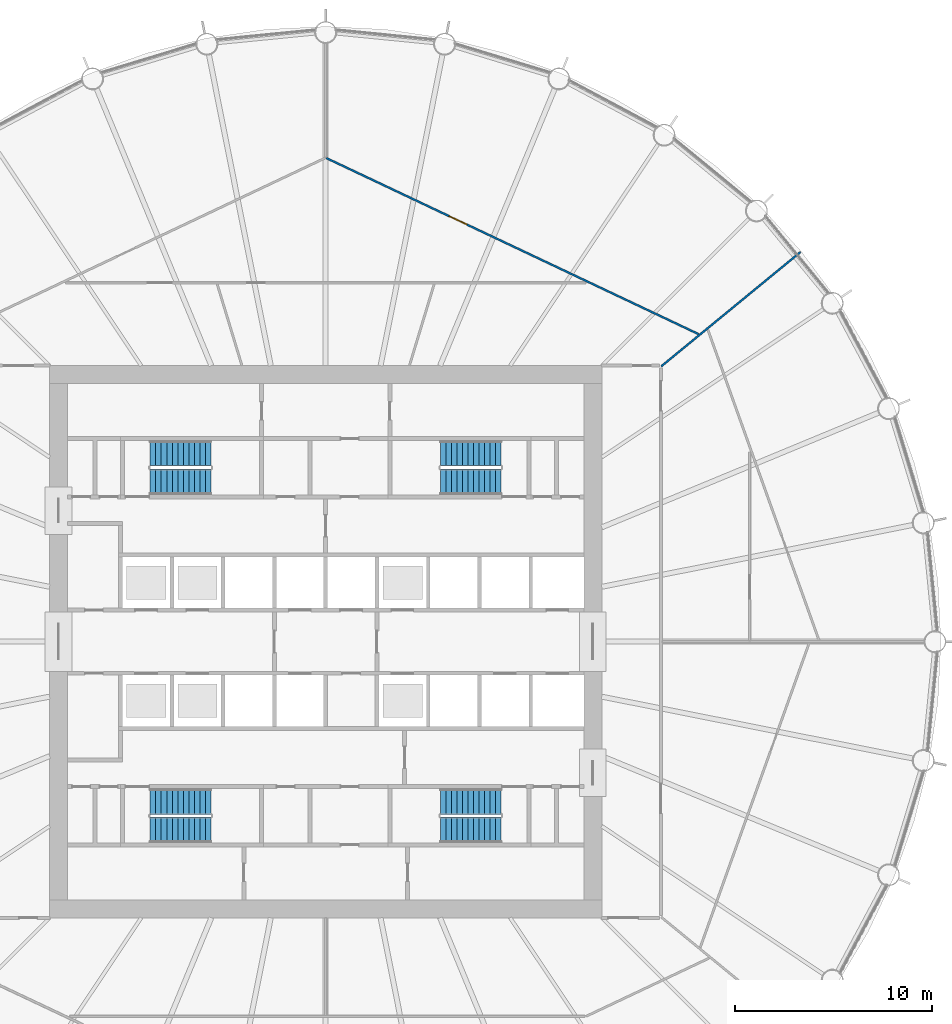
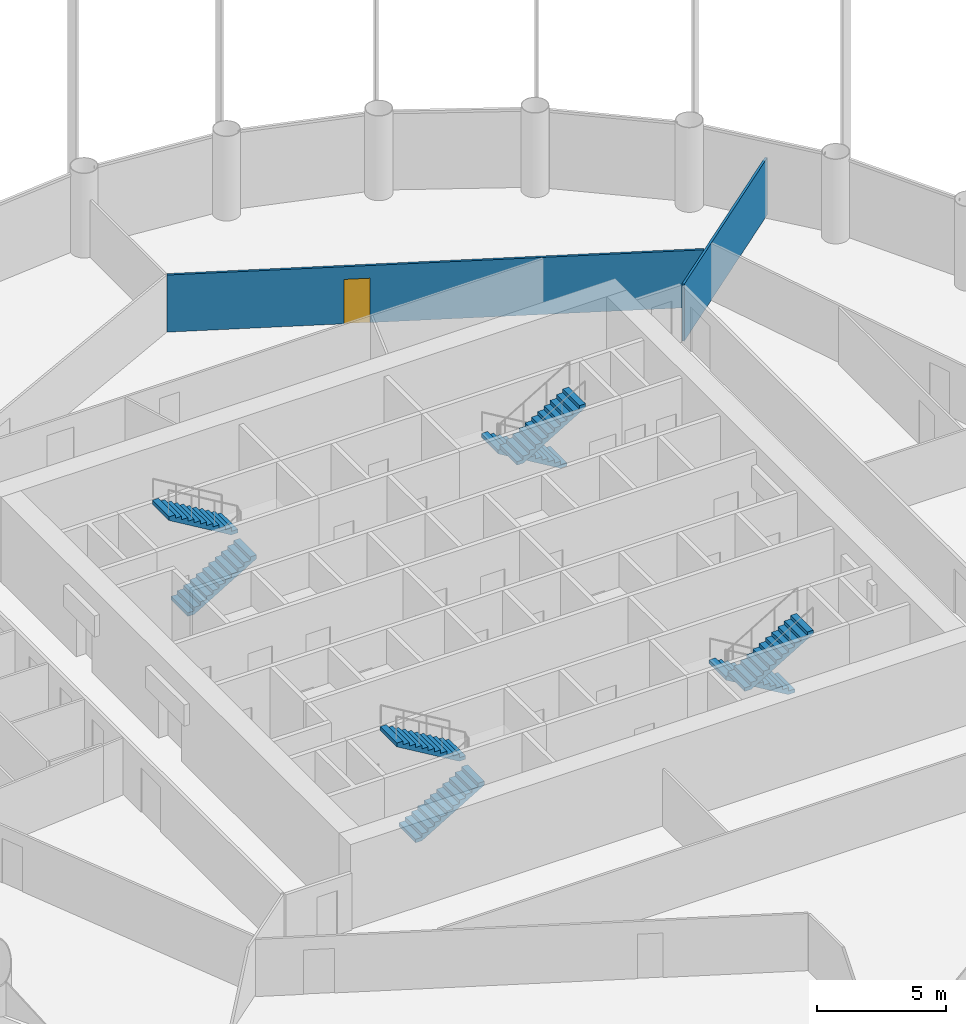
# One storey, part 8 of 10: 8 stair flights, 2 walls, 1 door, 1 opening, 4 elements without a shape of their own.
"""IFC4 building model written with IfcOpenShell, lengths in metres."""

from ifc_helpers import new_model, si_unit, direction, frame, frame_2d, origin, place, context, subcontext, project, spatial, polyline, rectangle, outline, extrude, material, layer, layer_set, type_object, element, fill, aggregate, save


model = new_model("IFC4")

# Units and contexts
model_context = context("Model", 3, precision=1e-05, world=origin(), true_north=direction((0.0, 1.0)))
body_context = subcontext(model_context, "Body", "Model", "MODEL_VIEW")
ifc_project = project(units=[si_unit("LENGTHUNIT", "METRE"), si_unit("AREAUNIT", "SQUARE_METRE"), si_unit("VOLUMEUNIT", "CUBIC_METRE"), si_unit("PLANEANGLEUNIT", "RADIAN"), si_unit("MASSUNIT", "GRAM", prefix="KILO")], contexts=[model_context])

# Site, building, storey
site_placement = place(None, origin())
site = spatial("IfcSite", under=ifc_project, at=site_placement, CompositionType="ELEMENT")
building_placement = place(site_placement, origin())
building = spatial("IfcBuilding", under=site, at=building_placement, Name="Corvane Civic Tower", CompositionType="ELEMENT")
storey_placement = place(building_placement, frame((0.0, 0.0, 144.0)))
storey = spatial("IfcBuildingStorey", under=building, at=storey_placement, Name="L33", CompositionType="ELEMENT", Elevation=144.0)

# Wall
ifc_material_1 = material(Name="Plasterboard")
ifc_layer = layer(ifc_material_1, 0.10009765625)
ifc_layer_set = layer_set([ifc_layer], Name="Plasterboard")
wall_type = type_object("IfcWallType", Name="Partition 100 plasterboard on studs", PredefinedType="PARTITIONING", material=ifc_layer_set)
wall_1_placement = place(storey_placement, frame((17.018310546875, 13.966552734375, 0.0), z_axis=(0.0, 0.0, 1.0), x_axis=(0.773006154143, 0.634398522742, 0.0)))
element("IfcWall", 1, at=wall_1_placement, inside=storey, type_object=wall_type, Name="Partition L33.027", PredefinedType="PARTITIONING", context=body_context, shape_type="SweptSolid", body=[
    extrude(rectangle(XDim=9.134521484375, YDim=0.10009765625, at=frame_2d((4.5673828125, 0.0))), origin(), (0.0, 0.0, 1.0), 2.699951171875),
])

# Wall, opening, door
wall_2_placement = place(storey_placement, frame((0.028564453125, 24.52880859375, 0.0), z_axis=(0.0, 0.0, 1.0), x_axis=(0.903988200513, -0.427557403554, 0.0)))
wall_2 = element("IfcWall", 2, at=wall_2_placement, inside=storey, type_object=wall_type, Name="Partition L33.033", PredefinedType="PARTITIONING", context=body_context, shape_type="SweptSolid", body=[
    extrude(rectangle(XDim=20.875732421875, YDim=0.10009765625, at=frame_2d((10.43798828125, 0.0))), origin(), (0.0, 0.0, 1.0), 2.699951171875),
])
opening_placement = place(wall_2_placement, frame((6.88525390625, 0.0, 0.0)))
opening = element("IfcOpeningElement", 3, at=opening_placement, cuts=wall_2, Name="Opening L33.002", PredefinedType="OPENING", context=body_context, shape_type="SweptSolid", body=[
    extrude(rectangle(XDim=1.0, YDim=2.10009765625, at=frame_2d((0.5, 1.050048828125))), frame((0.0, 0.06005859375, 0.0), z_axis=(0.0, -1.0, 0.0), x_axis=(1.0, 0.0, 0.0)), (0.0, 0.0, 1.0), 0.1201171875),
])
ifc_material_2 = material(Name="Timber", Category="wood")
door_type = type_object("IfcDoorType", Name="Single door 1000", OperationType="NOTDEFINED", PredefinedType="DOOR", material=ifc_material_2)
door_placement = place(opening_placement, origin())
door = element("IfcDoor", 4, at=door_placement, inside=storey, type_object=door_type, Name="Door L33.002", OperationType="SINGLE_SWING_LEFT", OverallHeight=2.10009765625, OverallWidth=1.0, PredefinedType="DOOR", context=body_context, shape_type="SweptSolid", body=[
    extrude(rectangle(XDim=1.0, YDim=2.10009765625, at=frame_2d((0.5, 1.050048828125))), frame((0.0, 0.02490234375, 0.0), z_axis=(0.0, -1.0, 0.0), x_axis=(1.0, 0.0, 0.0)), (0.0, 0.0, 1.0), 0.050048828125),
])
fill(opening, door)

# Stair, stair flights
ifc_material_3 = material(Name="Concrete C40/50", Category="concrete")
stair_type = type_object("IfcStairType", Name="ST-STAIR-HALFTURN", PredefinedType="HALF_TURN_STAIR", material=ifc_material_3)
stair_1_placement = place(storey_placement, origin())
stair_1 = element("IfcStair", 5, at=stair_1_placement, inside=storey, type_object=stair_type, Name="L33 Exit stair ST1", PredefinedType="HALF_TURN_STAIR")
ifc_material_4 = material(Name="Concrete C40/50", Category="concrete")
stair_flight_type = type_object("IfcStairFlightType", Name="ST-FLIGHT-RC", PredefinedType="STRAIGHT", material=ifc_material_4)
stair_flight_1_placement = place(storey_placement, frame((8.89990234375, 9.550048828125, 0.0), z_axis=(0.0, 0.0, 1.0), x_axis=(-1.0, 0.0, 0.0)))
stair_flight_1 = element("IfcStairFlight", 6, at=stair_flight_1_placement, type_object=stair_flight_type, Name="ST1 flight 1", NumberOfRisers=12, NumberOfTreads=11, PredefinedType="STRAIGHT", RiserHeight=0.166666667, TreadLength=0.28, context=body_context, shape_type="SweptSolid", body=[
    extrude(outline(polyline([(0.0, 0.0), (0.0, 0.166748046875), (0.280029296875, 0.166748046875), (0.280029296875, 0.333251953125), (0.56005859375, 0.333251953125), (0.56005859375, 0.5), (0.840087890625, 0.5), (0.840087890625, 0.666748046875), (1.1201171875, 0.666748046875), (1.1201171875, 0.833251953125), (1.39990234375, 0.833251953125), (1.39990234375, 1.0), (1.679931640625, 1.0), (1.679931640625, 1.166748046875), (1.9599609375, 1.166748046875), (1.9599609375, 1.333251953125), (2.239990234375, 1.333251953125), (2.239990234375, 1.5), (2.52001953125, 1.5), (2.52001953125, 1.666748046875), (2.800048828125, 1.666748046875), (2.800048828125, 1.833251953125), (3.080078125, 1.833251953125), (3.080078125, 2.0), (3.080078125, 1.658935546875), (0.29296875, 0.0), (0.0, 0.0)])), frame((0.0, 0.64990234375, 0.0), z_axis=(0.0, -1.0, 0.0), x_axis=(1.0, 0.0, 0.0)), (0.0, 0.0, 1.0), 1.300048828125),
])
stair_flight_2_placement = place(storey_placement, frame((5.820068359375, 8.10009765625, 2.0), z_axis=(0.0, 0.0, 1.0), x_axis=(1.0, 0.0, 0.0)))
stair_flight_2 = element("IfcStairFlight", 7, at=stair_flight_2_placement, type_object=stair_flight_type, Name="ST1 flight 2", NumberOfRisers=12, NumberOfTreads=11, PredefinedType="STRAIGHT", RiserHeight=0.166666667, TreadLength=0.28, context=body_context, shape_type="SweptSolid", body=[
    extrude(outline(polyline([(0.0, 0.0), (0.0, 0.166748046875), (0.280029296875, 0.166748046875), (0.280029296875, 0.333251953125), (0.56005859375, 0.333251953125), (0.56005859375, 0.5), (0.840087890625, 0.5), (0.840087890625, 0.666748046875), (1.1201171875, 0.666748046875), (1.1201171875, 0.833251953125), (1.39990234375, 0.833251953125), (1.39990234375, 1.0), (1.679931640625, 1.0), (1.679931640625, 1.166748046875), (1.9599609375, 1.166748046875), (1.9599609375, 1.333251953125), (2.239990234375, 1.333251953125), (2.239990234375, 1.5), (2.52001953125, 1.5), (2.52001953125, 1.666748046875), (2.800048828125, 1.666748046875), (2.800048828125, 1.833251953125), (3.080078125, 1.833251953125), (3.080078125, 2.0), (3.080078125, 1.658935546875), (0.29296875, 0.0), (0.0, 0.0)])), frame((0.0, 0.64990234375, 0.0), z_axis=(0.0, -1.0, 0.0), x_axis=(1.0, 0.0, 0.0)), (0.0, 0.0, 1.0), 1.300048828125),
])
aggregate(stair_1, [stair_flight_1, stair_flight_2])

stair_2_placement = place(storey_placement, origin())
stair_2 = element("IfcStair", 8, at=stair_2_placement, inside=storey, type_object=stair_type, Name="L33 Exit stair ST2", PredefinedType="HALF_TURN_STAIR")
stair_flight_3_placement = place(storey_placement, frame((8.89990234375, -8.10009765625, 0.0), z_axis=(0.0, 0.0, 1.0), x_axis=(-1.0, 0.0, 0.0)))
stair_flight_3 = element("IfcStairFlight", 9, at=stair_flight_3_placement, type_object=stair_flight_type, Name="ST2 flight 1", NumberOfRisers=12, NumberOfTreads=11, PredefinedType="STRAIGHT", RiserHeight=0.166666667, TreadLength=0.28, context=body_context, shape_type="SweptSolid", body=[
    extrude(outline(polyline([(0.0, 0.0), (0.0, 0.166748046875), (0.280029296875, 0.166748046875), (0.280029296875, 0.333251953125), (0.56005859375, 0.333251953125), (0.56005859375, 0.5), (0.840087890625, 0.5), (0.840087890625, 0.666748046875), (1.1201171875, 0.666748046875), (1.1201171875, 0.833251953125), (1.39990234375, 0.833251953125), (1.39990234375, 1.0), (1.679931640625, 1.0), (1.679931640625, 1.166748046875), (1.9599609375, 1.166748046875), (1.9599609375, 1.333251953125), (2.239990234375, 1.333251953125), (2.239990234375, 1.5), (2.52001953125, 1.5), (2.52001953125, 1.666748046875), (2.800048828125, 1.666748046875), (2.800048828125, 1.833251953125), (3.080078125, 1.833251953125), (3.080078125, 2.0), (3.080078125, 1.658935546875), (0.29296875, 0.0), (0.0, 0.0)])), frame((0.0, 0.64990234375, 0.0), z_axis=(0.0, -1.0, 0.0), x_axis=(1.0, 0.0, 0.0)), (0.0, 0.0, 1.0), 1.300048828125),
])
stair_flight_4_placement = place(storey_placement, frame((5.820068359375, -9.550048828125, 2.0), z_axis=(0.0, 0.0, 1.0), x_axis=(1.0, 0.0, 0.0)))
stair_flight_4 = element("IfcStairFlight", 10, at=stair_flight_4_placement, type_object=stair_flight_type, Name="ST2 flight 2", NumberOfRisers=12, NumberOfTreads=11, PredefinedType="STRAIGHT", RiserHeight=0.166666667, TreadLength=0.28, context=body_context, shape_type="SweptSolid", body=[
    extrude(outline(polyline([(0.0, 0.0), (0.0, 0.166748046875), (0.280029296875, 0.166748046875), (0.280029296875, 0.333251953125), (0.56005859375, 0.333251953125), (0.56005859375, 0.5), (0.840087890625, 0.5), (0.840087890625, 0.666748046875), (1.1201171875, 0.666748046875), (1.1201171875, 0.833251953125), (1.39990234375, 0.833251953125), (1.39990234375, 1.0), (1.679931640625, 1.0), (1.679931640625, 1.166748046875), (1.9599609375, 1.166748046875), (1.9599609375, 1.333251953125), (2.239990234375, 1.333251953125), (2.239990234375, 1.5), (2.52001953125, 1.5), (2.52001953125, 1.666748046875), (2.800048828125, 1.666748046875), (2.800048828125, 1.833251953125), (3.080078125, 1.833251953125), (3.080078125, 2.0), (3.080078125, 1.658935546875), (0.29296875, 0.0), (0.0, 0.0)])), frame((0.0, 0.64990234375, 0.0), z_axis=(0.0, -1.0, 0.0), x_axis=(1.0, 0.0, 0.0)), (0.0, 0.0, 1.0), 1.300048828125),
])
aggregate(stair_2, [stair_flight_3, stair_flight_4])

stair_3_placement = place(storey_placement, origin())
stair_3 = element("IfcStair", 11, at=stair_3_placement, inside=storey, type_object=stair_type, Name="L33 Exit stair ST3", PredefinedType="HALF_TURN_STAIR")
stair_flight_5_placement = place(storey_placement, frame((-8.89990234375, -9.550048828125, 0.0), z_axis=(0.0, 0.0, 1.0), x_axis=(1.0, 0.0, 0.0)))
stair_flight_5 = element("IfcStairFlight", 12, at=stair_flight_5_placement, type_object=stair_flight_type, Name="ST3 flight 1", NumberOfRisers=12, NumberOfTreads=11, PredefinedType="STRAIGHT", RiserHeight=0.166666667, TreadLength=0.28, context=body_context, shape_type="SweptSolid", body=[
    extrude(outline(polyline([(0.0, 0.0), (0.0, 0.166748046875), (0.280029296875, 0.166748046875), (0.280029296875, 0.333251953125), (0.56005859375, 0.333251953125), (0.56005859375, 0.5), (0.840087890625, 0.5), (0.840087890625, 0.666748046875), (1.1201171875, 0.666748046875), (1.1201171875, 0.833251953125), (1.39990234375, 0.833251953125), (1.39990234375, 1.0), (1.679931640625, 1.0), (1.679931640625, 1.166748046875), (1.9599609375, 1.166748046875), (1.9599609375, 1.333251953125), (2.239990234375, 1.333251953125), (2.239990234375, 1.5), (2.52001953125, 1.5), (2.52001953125, 1.666748046875), (2.800048828125, 1.666748046875), (2.800048828125, 1.833251953125), (3.080078125, 1.833251953125), (3.080078125, 2.0), (3.080078125, 1.658935546875), (0.29296875, 0.0), (0.0, 0.0)])), frame((0.0, 0.64990234375, 0.0), z_axis=(0.0, -1.0, 0.0), x_axis=(1.0, 0.0, 0.0)), (0.0, 0.0, 1.0), 1.300048828125),
])
stair_flight_6_placement = place(storey_placement, frame((-5.820068359375, -8.10009765625, 2.0), z_axis=(0.0, 0.0, 1.0), x_axis=(-1.0, 0.0, 0.0)))
stair_flight_6 = element("IfcStairFlight", 13, at=stair_flight_6_placement, type_object=stair_flight_type, Name="ST3 flight 2", NumberOfRisers=12, NumberOfTreads=11, PredefinedType="STRAIGHT", RiserHeight=0.166666667, TreadLength=0.28, context=body_context, shape_type="SweptSolid", body=[
    extrude(outline(polyline([(0.0, 0.0), (0.0, 0.166748046875), (0.280029296875, 0.166748046875), (0.280029296875, 0.333251953125), (0.56005859375, 0.333251953125), (0.56005859375, 0.5), (0.840087890625, 0.5), (0.840087890625, 0.666748046875), (1.1201171875, 0.666748046875), (1.1201171875, 0.833251953125), (1.39990234375, 0.833251953125), (1.39990234375, 1.0), (1.679931640625, 1.0), (1.679931640625, 1.166748046875), (1.9599609375, 1.166748046875), (1.9599609375, 1.333251953125), (2.239990234375, 1.333251953125), (2.239990234375, 1.5), (2.52001953125, 1.5), (2.52001953125, 1.666748046875), (2.800048828125, 1.666748046875), (2.800048828125, 1.833251953125), (3.080078125, 1.833251953125), (3.080078125, 2.0), (3.080078125, 1.658935546875), (0.29296875, 0.0), (0.0, 0.0)])), frame((0.0, 0.64990234375, 0.0), z_axis=(0.0, -1.0, 0.0), x_axis=(1.0, 0.0, 0.0)), (0.0, 0.0, 1.0), 1.300048828125),
])
aggregate(stair_3, [stair_flight_5, stair_flight_6])

stair_4_placement = place(storey_placement, origin())
stair_4 = element("IfcStair", 14, at=stair_4_placement, inside=storey, type_object=stair_type, Name="L33 Exit stair ST4", PredefinedType="HALF_TURN_STAIR")
stair_flight_7_placement = place(storey_placement, frame((-8.89990234375, 8.10009765625, 0.0), z_axis=(0.0, 0.0, 1.0), x_axis=(1.0, 0.0, 0.0)))
stair_flight_7 = element("IfcStairFlight", 15, at=stair_flight_7_placement, type_object=stair_flight_type, Name="ST4 flight 1", NumberOfRisers=12, NumberOfTreads=11, PredefinedType="STRAIGHT", RiserHeight=0.166666667, TreadLength=0.28, context=body_context, shape_type="SweptSolid", body=[
    extrude(outline(polyline([(0.0, 0.0), (0.0, 0.166748046875), (0.280029296875, 0.166748046875), (0.280029296875, 0.333251953125), (0.56005859375, 0.333251953125), (0.56005859375, 0.5), (0.840087890625, 0.5), (0.840087890625, 0.666748046875), (1.1201171875, 0.666748046875), (1.1201171875, 0.833251953125), (1.39990234375, 0.833251953125), (1.39990234375, 1.0), (1.679931640625, 1.0), (1.679931640625, 1.166748046875), (1.9599609375, 1.166748046875), (1.9599609375, 1.333251953125), (2.239990234375, 1.333251953125), (2.239990234375, 1.5), (2.52001953125, 1.5), (2.52001953125, 1.666748046875), (2.800048828125, 1.666748046875), (2.800048828125, 1.833251953125), (3.080078125, 1.833251953125), (3.080078125, 2.0), (3.080078125, 1.658935546875), (0.29296875, 0.0), (0.0, 0.0)])), frame((0.0, 0.64990234375, 0.0), z_axis=(0.0, -1.0, 0.0), x_axis=(1.0, 0.0, 0.0)), (0.0, 0.0, 1.0), 1.300048828125),
])
stair_flight_8_placement = place(storey_placement, frame((-5.820068359375, 9.550048828125, 2.0), z_axis=(0.0, 0.0, 1.0), x_axis=(-1.0, 0.0, 0.0)))
stair_flight_8 = element("IfcStairFlight", 16, at=stair_flight_8_placement, type_object=stair_flight_type, Name="ST4 flight 2", NumberOfRisers=12, NumberOfTreads=11, PredefinedType="STRAIGHT", RiserHeight=0.166666667, TreadLength=0.28, context=body_context, shape_type="SweptSolid", body=[
    extrude(outline(polyline([(0.0, 0.0), (0.0, 0.166748046875), (0.280029296875, 0.166748046875), (0.280029296875, 0.333251953125), (0.56005859375, 0.333251953125), (0.56005859375, 0.5), (0.840087890625, 0.5), (0.840087890625, 0.666748046875), (1.1201171875, 0.666748046875), (1.1201171875, 0.833251953125), (1.39990234375, 0.833251953125), (1.39990234375, 1.0), (1.679931640625, 1.0), (1.679931640625, 1.166748046875), (1.9599609375, 1.166748046875), (1.9599609375, 1.333251953125), (2.239990234375, 1.333251953125), (2.239990234375, 1.5), (2.52001953125, 1.5), (2.52001953125, 1.666748046875), (2.800048828125, 1.666748046875), (2.800048828125, 1.833251953125), (3.080078125, 1.833251953125), (3.080078125, 2.0), (3.080078125, 1.658935546875), (0.29296875, 0.0), (0.0, 0.0)])), frame((0.0, 0.64990234375, 0.0), z_axis=(0.0, -1.0, 0.0), x_axis=(1.0, 0.0, 0.0)), (0.0, 0.0, 1.0), 1.300048828125),
])
aggregate(stair_4, [stair_flight_7, stair_flight_8])

save(model, "model.ifc")
